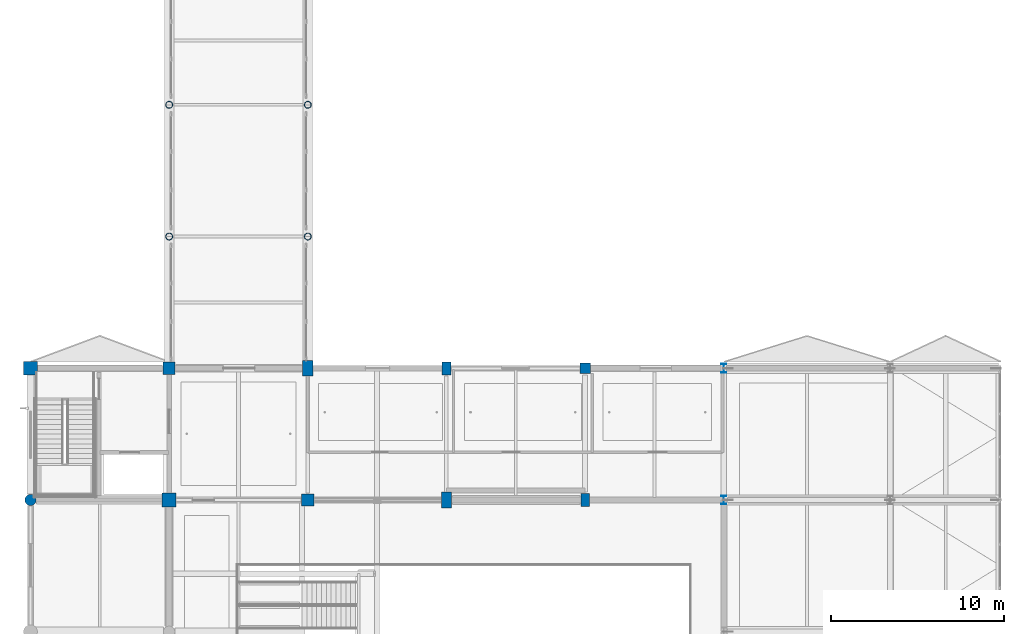
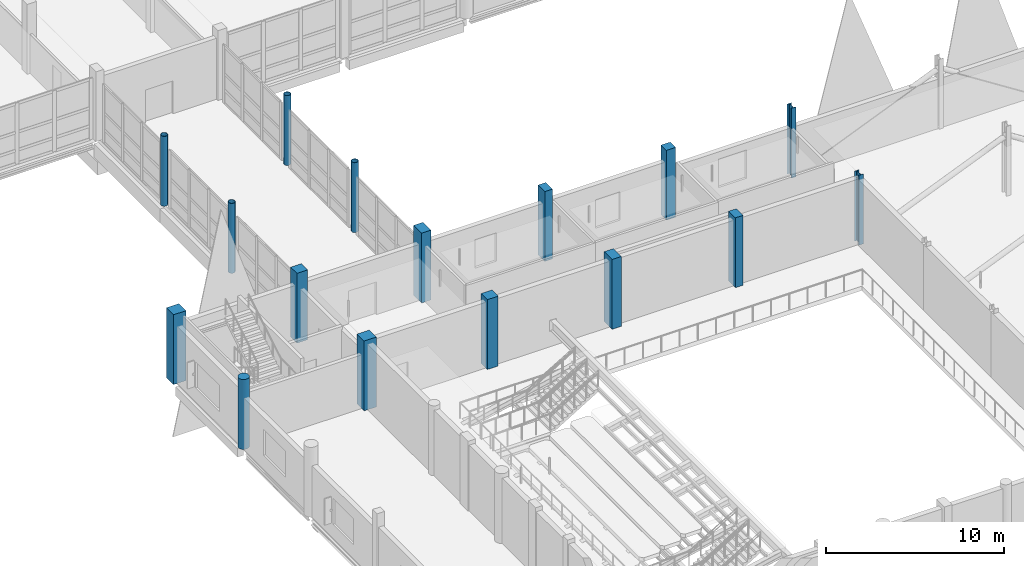
# One storey, part 3 of 147: 16 columns.
"""IFC4 building model written with IfcOpenShell, lengths in metres."""

from ifc_helpers import new_model, si_unit, direction, frame, origin, origin_2d, place, context, subcontext, project, spatial, rectangle, circle, hollow_circle, i_section, extrude, material, material_profile, profile_set, type_object, element, save


model = new_model("IFC4")

# Units and contexts
model_context = context("Model", 3, precision=1e-05, world=origin(), true_north=direction((0.0, 1.0)))
body_context = subcontext(model_context, "Body", "Model", "MODEL_VIEW")
ifc_project = project(units=[si_unit("LENGTHUNIT", "METRE"), si_unit("AREAUNIT", "SQUARE_METRE"), si_unit("VOLUMEUNIT", "CUBIC_METRE"), si_unit("PLANEANGLEUNIT", "RADIAN"), si_unit("MASSUNIT", "GRAM", prefix="KILO")], contexts=[model_context])

# Site, building, storey
site_placement = place(None, origin())
site = spatial("IfcSite", under=ifc_project, at=site_placement, CompositionType="ELEMENT")
building_placement = place(site_placement, origin())
building = spatial("IfcBuilding", under=site, at=building_placement, Name="Khelvaren Railside Concert Hall", CompositionType="ELEMENT")
storey_placement = place(building_placement, frame((0.0, 0.0, 5.39990234375)))
storey = spatial("IfcBuildingStorey", under=building, at=storey_placement, Name="L01", CompositionType="ELEMENT", Elevation=5.39990234375)

# Columns
ifc_material_1 = material(Name="Concrete C45/55", Category="concrete")
ifc_material_profile_1 = material_profile(ifc_material_1, rectangle(XDim=0.60009765625, YDim=0.60009765625, at=origin_2d()), Name="RC 600x600")
ifc_profile_set_1 = profile_set([ifc_material_profile_1], Name="Concrete C45/55")
column_type_1 = type_object("IfcColumnType", Name="COL11", PredefinedType="COLUMN", material=ifc_profile_set_1)
column_1_placement = place(storey_placement, frame((32.0, 45.60009765625, 0.0), z_axis=(0.0, 0.0, 1.0), x_axis=(1.0, 0.0, 0.0)))
element("IfcColumn", 1, at=column_1_placement, inside=storey, type_object=column_type_1, Name="V1 L01 Column (32.0,45.6)", PredefinedType="COLUMN", context=body_context, shape_type="SweptSolid", body=[
    extrude(rectangle(XDim=0.60009765625, YDim=0.60009765625, at=origin_2d()), origin(), (0.0, 0.0, 1.0), 4.800048828125),
])
ifc_material_2 = material(Name="Steel S355", Category="steel")
ifc_material_profile_2 = material_profile(ifc_material_2, i_section(OverallWidth=0.300048828125, OverallDepth=0.5, WebThickness=0.014404296875, FlangeThickness=0.028076171875, FilletRadius=0.027099609375, at=origin_2d()), Name="HEB 500")
ifc_profile_set_2 = profile_set([ifc_material_profile_2], Name="Steel S355")
column_type_2 = type_object("IfcColumnType", Name="COL15", PredefinedType="COLUMN", material=ifc_profile_set_2)
column_2_placement = place(storey_placement, frame((40.0, 45.60009765625, 0.0), z_axis=(0.0, 0.0, 1.0), x_axis=(1.0, 0.0, 0.0)))
element("IfcColumn", 2, at=column_2_placement, inside=storey, type_object=column_type_2, Name="V1 L01 Column (40.0,45.6)", PredefinedType="COLUMN", context=body_context, shape_type="SweptSolid", body=[
    extrude(i_section(OverallWidth=0.300048828125, OverallDepth=0.5, WebThickness=0.014404296875, FlangeThickness=0.028076171875, FilletRadius=0.027099609375, at=origin_2d()), origin(), (0.0, 0.0, 1.0), 4.800048828125),
])
ifc_material_profile_3 = material_profile(ifc_material_1, rectangle(XDim=0.699951171875, YDim=0.699951171875, at=origin_2d()), Name="RC 700x700")
ifc_profile_set_3 = profile_set([ifc_material_profile_3], Name="Concrete C45/55")
column_type_3 = type_object("IfcColumnType", Name="COL16", PredefinedType="COLUMN", material=ifc_profile_set_3)
column_3_placement = place(storey_placement, frame((8.0, 45.60009765625, 0.0), z_axis=(0.0, 0.0, 1.0), x_axis=(1.0, 0.0, 0.0)))
element("IfcColumn", 3, at=column_3_placement, inside=storey, type_object=column_type_3, Name="V1 L01 Column (8.0,45.6)", PredefinedType="COLUMN", context=body_context, shape_type="SweptSolid", body=[
    extrude(rectangle(XDim=0.699951171875, YDim=0.699951171875, at=origin_2d()), origin(), (0.0, 0.0, 1.0), 4.800048828125),
])
ifc_material_profile_4 = material_profile(ifc_material_1, rectangle(XDim=0.800048828125, YDim=0.800048828125, at=origin_2d()), Name="RC 800x800")
ifc_profile_set_4 = profile_set([ifc_material_profile_4], Name="Concrete C45/55")
column_type_4 = type_object("IfcColumnType", Name="COL20", PredefinedType="COLUMN", material=ifc_profile_set_4)
column_4_placement = place(storey_placement, frame((8.0, 38.0, 0.0), z_axis=(0.0, 0.0, 1.0), x_axis=(1.0, 0.0, 0.0)))
element("IfcColumn", 4, at=column_4_placement, inside=storey, type_object=column_type_4, Name="V1 L01 Column (8.0,38.0)", PredefinedType="COLUMN", context=body_context, shape_type="SweptSolid", body=[
    extrude(rectangle(XDim=0.800048828125, YDim=0.800048828125, at=origin_2d()), origin(), (0.0, 0.0, 1.0), 4.800048828125),
])
ifc_material_profile_5 = material_profile(ifc_material_2, i_section(OverallWidth=0.300048828125, OverallDepth=0.5, WebThickness=0.014404296875, FlangeThickness=0.028076171875, FilletRadius=0.027099609375, at=origin_2d()), Name="HEB 500")
ifc_profile_set_5 = profile_set([ifc_material_profile_5], Name="Steel S355")
column_type_5 = type_object("IfcColumnType", Name="COL25", PredefinedType="COLUMN", material=ifc_profile_set_5)
column_5_placement = place(storey_placement, frame((40.0, 38.0, 0.0), z_axis=(0.0, 0.0, 1.0), x_axis=(1.0, 0.0, 0.0)))
element("IfcColumn", 5, at=column_5_placement, inside=storey, type_object=column_type_5, Name="V1 L01 Column (40.0,38.0)", PredefinedType="COLUMN", context=body_context, shape_type="SweptSolid", body=[
    extrude(i_section(OverallWidth=0.300048828125, OverallDepth=0.5, WebThickness=0.014404296875, FlangeThickness=0.028076171875, FilletRadius=0.027099609375, at=origin_2d()), origin(), (0.0, 0.0, 1.0), 4.800048828125),
])
ifc_material_profile_6 = material_profile(ifc_material_2, hollow_circle(Radius=0.203125, WallThickness=0.02001953125, at=origin_2d()), Name="CHS 406.4x20")
ifc_profile_set_6 = profile_set([ifc_material_profile_6], Name="Steel S355")
column_type_6 = type_object("IfcColumnType", Name="COL27", PredefinedType="COLUMN", material=ifc_profile_set_6)
for number, where, z_axis, x_axis, name in (
    (6, (8.0, 53.199951171875, 0.0), (0.0, 0.0, 1.0), (1.0, 0.0, 0.0), "LB3 L01 Bridge Pier (8,53.2)"),
    (7, (8.0, 60.800048828125, 0.0), (0.0, 0.0, 1.0), (1.0, 0.0, 0.0), "LB3 L01 Bridge Pier (8,60.8)"),
    (8, (16.0, 53.199951171875, 0.0), (0.0, 0.0, 1.0), (1.0, 0.0, 0.0), "LB3 L01 Bridge Pier (16,53.2)"),
    (9, (16.0, 60.800048828125, 0.0), (0.0, 0.0, 1.0), (1.0, 0.0, 0.0), "LB3 L01 Bridge Pier (16,60.8)"),
):
    element("IfcColumn", number, at=place(storey_placement, frame(where, z_axis=z_axis, x_axis=x_axis)), inside=storey, type_object=column_type_6, Name=name, PredefinedType="COLUMN", context=body_context, shape_type="SweptSolid", body=[
        extrude(hollow_circle(Radius=0.203125, WallThickness=0.02001953125, at=origin_2d()), origin(), (0.0, 0.0, 1.0), 4.800048828125),
    ])
ifc_material_profile_7 = material_profile(ifc_material_1, rectangle(XDim=0.60009765625, YDim=0.89990234375, at=origin_2d()), Name="RC 600x900")
ifc_profile_set_7 = profile_set([ifc_material_profile_7], Name="Concrete C45/55")
column_type_7 = type_object("IfcColumnType", Name="COL33", PredefinedType="COLUMN", material=ifc_profile_set_7)
column_6_placement = place(storey_placement, frame((24.0, 38.0, 0.0), z_axis=(0.0, 0.0, 1.0), x_axis=(1.0, 0.0, 0.0)))
element("IfcColumn", 10, at=column_6_placement, inside=storey, type_object=column_type_7, Name="V1 L01 Column (24.0,38.0)", PredefinedType="COLUMN", context=body_context, shape_type="SweptSolid", body=[
    extrude(rectangle(XDim=0.60009765625, YDim=0.89990234375, at=origin_2d()), origin(), (0.0, 0.0, 1.0), 4.800048828125),
])
ifc_material_profile_8 = material_profile(ifc_material_1, rectangle(XDim=0.5, YDim=0.75, at=origin_2d()), Name="RC 500x750")
ifc_profile_set_8 = profile_set([ifc_material_profile_8], Name="Concrete C45/55")
column_type_8 = type_object("IfcColumnType", Name="COL36", PredefinedType="COLUMN", material=ifc_profile_set_8)
column_7_placement = place(storey_placement, frame((32.0, 38.0, 0.0), z_axis=(0.0, 0.0, 1.0), x_axis=(1.0, 0.0, 0.0)))
element("IfcColumn", 11, at=column_7_placement, inside=storey, type_object=column_type_8, Name="V1 L01 Column (32.0,38.0)", PredefinedType="COLUMN", context=body_context, shape_type="SweptSolid", body=[
    extrude(rectangle(XDim=0.5, YDim=0.75, at=origin_2d()), origin(), (0.0, 0.0, 1.0), 4.800048828125),
])
ifc_material_profile_9 = material_profile(ifc_material_1, rectangle(XDim=0.800048828125, YDim=0.800048828125, at=origin_2d()), Name="RC 800x800")
ifc_profile_set_9 = profile_set([ifc_material_profile_9], Name="Concrete C45/55")
column_type_9 = type_object("IfcColumnType", Name="COL38", PredefinedType="COLUMN", material=ifc_profile_set_9)
column_8_placement = place(storey_placement, frame((0.0, 45.60009765625, 0.0), z_axis=(0.0, 0.0, 1.0), x_axis=(1.0, 0.0, 0.0)))
element("IfcColumn", 12, at=column_8_placement, inside=storey, type_object=column_type_9, Name="V1 L01 Column (0.0,45.6)", PredefinedType="COLUMN", context=body_context, shape_type="SweptSolid", body=[
    extrude(rectangle(XDim=0.800048828125, YDim=0.800048828125, at=origin_2d()), origin(), (0.0, 0.0, 1.0), 4.800048828125),
])
ifc_material_profile_10 = material_profile(ifc_material_1, circle(Radius=0.324951171875, at=origin_2d()), Name="RC D650")
ifc_profile_set_10 = profile_set([ifc_material_profile_10], Name="Concrete C45/55")
column_type_10 = type_object("IfcColumnType", Name="COL53", PredefinedType="COLUMN", material=ifc_profile_set_10)
column_9_placement = place(storey_placement, frame((0.0, 38.0, 0.0), z_axis=(0.0, 0.0, 1.0), x_axis=(1.0, 0.0, 0.0)))
element("IfcColumn", 13, at=column_9_placement, inside=storey, type_object=column_type_10, Name="V1 L01 Column (0.0,38.0)", PredefinedType="COLUMN", context=body_context, shape_type="SweptSolid", body=[
    extrude(circle(Radius=0.324951171875, at=origin_2d()), origin(), (0.0, 0.0, 1.0), 4.800048828125),
])
ifc_material_profile_11 = material_profile(ifc_material_1, rectangle(XDim=0.699951171875, YDim=0.699951171875, at=origin_2d()), Name="RC 700x700")
ifc_profile_set_11 = profile_set([ifc_material_profile_11], Name="Concrete C45/55")
column_type_11 = type_object("IfcColumnType", Name="COL74", PredefinedType="COLUMN", material=ifc_profile_set_11)
column_10_placement = place(storey_placement, frame((16.0, 38.0, 0.0), z_axis=(0.0, 0.0, 1.0), x_axis=(1.0, 0.0, 0.0)))
element("IfcColumn", 14, at=column_10_placement, inside=storey, type_object=column_type_11, Name="V1 L01 Column (16.0,38.0)", PredefinedType="COLUMN", context=body_context, shape_type="SweptSolid", body=[
    extrude(rectangle(XDim=0.699951171875, YDim=0.699951171875, at=origin_2d()), origin(), (0.0, 0.0, 1.0), 4.800048828125),
])
ifc_material_profile_12 = material_profile(ifc_material_1, rectangle(XDim=0.60009765625, YDim=0.89990234375, at=origin_2d()), Name="RC 600x900")
ifc_profile_set_12 = profile_set([ifc_material_profile_12], Name="Concrete C45/55")
column_type_12 = type_object("IfcColumnType", Name="COL95", PredefinedType="COLUMN", material=ifc_profile_set_12)
column_11_placement = place(storey_placement, frame((16.0, 45.60009765625, 0.0), z_axis=(0.0, 0.0, 1.0), x_axis=(1.0, 0.0, 0.0)))
element("IfcColumn", 15, at=column_11_placement, inside=storey, type_object=column_type_12, Name="V1 L01 Column (16.0,45.6)", PredefinedType="COLUMN", context=body_context, shape_type="SweptSolid", body=[
    extrude(rectangle(XDim=0.60009765625, YDim=0.89990234375, at=origin_2d()), origin(), (0.0, 0.0, 1.0), 4.800048828125),
])
ifc_material_profile_13 = material_profile(ifc_material_1, rectangle(XDim=0.5, YDim=0.75, at=origin_2d()), Name="RC 500x750")
ifc_profile_set_13 = profile_set([ifc_material_profile_13], Name="Concrete C45/55")
column_type_13 = type_object("IfcColumnType", Name="COL97", PredefinedType="COLUMN", material=ifc_profile_set_13)
column_12_placement = place(storey_placement, frame((24.0, 45.60009765625, 0.0), z_axis=(0.0, 0.0, 1.0), x_axis=(1.0, 0.0, 0.0)))
element("IfcColumn", 16, at=column_12_placement, inside=storey, type_object=column_type_13, Name="V1 L01 Column (24.0,45.6)", PredefinedType="COLUMN", context=body_context, shape_type="SweptSolid", body=[
    extrude(rectangle(XDim=0.5, YDim=0.75, at=origin_2d()), origin(), (0.0, 0.0, 1.0), 4.800048828125),
])

save(model, "model.ifc")
